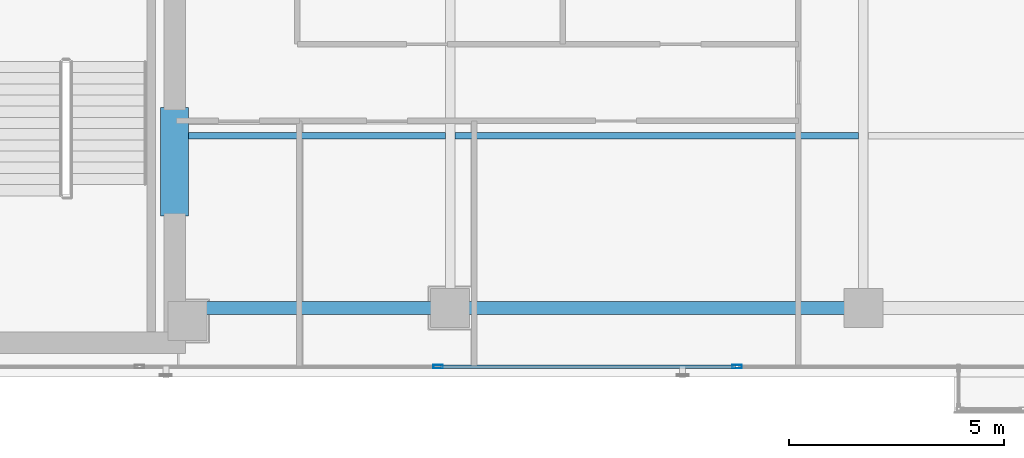
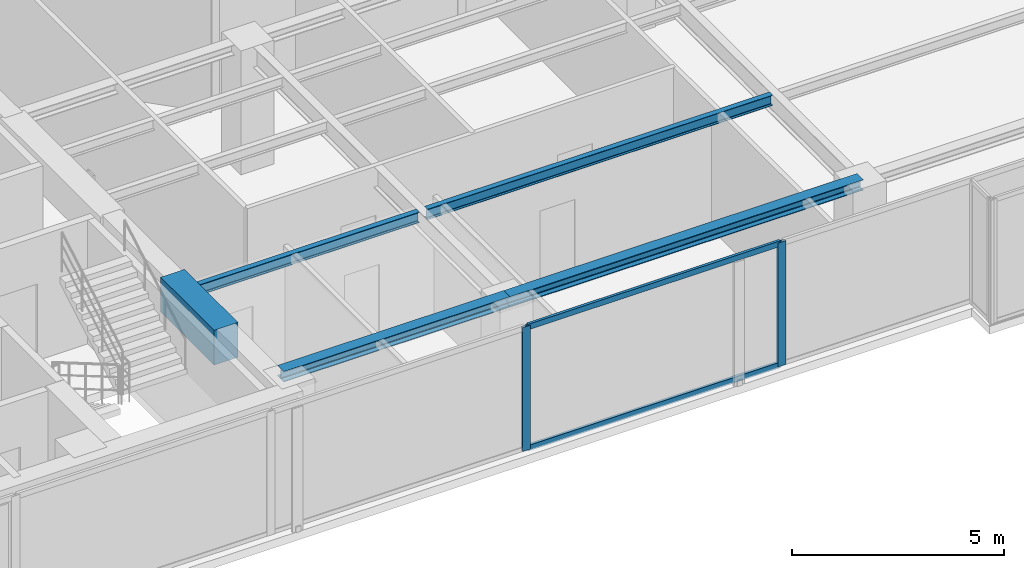
# One storey, part 4 of 23: 5 beams, 4 members, 1 element without a shape of its own.
"""IFC4 building model written with IfcOpenShell, lengths in metres."""

from ifc_helpers import new_model, si_unit, direction, frame, origin, origin_with_axes, origin_2d, place, context, subcontext, project, spatial, rectangle, hollow_rectangle, i_section, extrude, source, transform, mapped, material, layer, layer_set, material_profile, profile_set, type_object, element, aggregate, save


model = new_model("IFC4")

# Units and contexts
model_context = context("Model", 3, precision=1e-05, world=origin(), true_north=direction((0.0, 1.0)))
body_context = subcontext(model_context, "Body", "Model", "MODEL_VIEW")
ifc_project = project(units=[si_unit("LENGTHUNIT", "METRE"), si_unit("AREAUNIT", "SQUARE_METRE"), si_unit("VOLUMEUNIT", "CUBIC_METRE"), si_unit("PLANEANGLEUNIT", "RADIAN"), si_unit("MASSUNIT", "GRAM", prefix="KILO")], contexts=[model_context])

# Site, building, storey
site_placement = place(None, origin())
site = spatial("IfcSite", under=ifc_project, at=site_placement, CompositionType="ELEMENT")
building_placement = place(site_placement, origin())
building = spatial("IfcBuilding", under=site, at=building_placement, Name="Kolvaren Waterfront Exchange", CompositionType="ELEMENT")
storey_placement = place(building_placement, frame((0.0, 0.0, 319.800048828125)))
storey = spatial("IfcBuildingStorey", under=building, at=storey_placement, Name="L82", CompositionType="ELEMENT", Elevation=319.800048828125)

# Beams
ifc_material_1 = material(Name="Steel S355", Category="steel")
ifc_material_profile_1 = material_profile(ifc_material_1, i_section(OverallWidth=0.300048828125, OverallDepth=0.300048828125, WebThickness=0.010986328125, FlangeThickness=0.01904296875, FilletRadius=0.027099609375, at=origin_2d()), Name="HEB300")
ifc_profile_set_1 = profile_set([ifc_material_profile_1], Name="Steel S355")
beam_type_1 = type_object("IfcBeamType", Name="STR-BM-HEB300", PredefinedType="SPANDREL", material=ifc_profile_set_1)
beam_1_placement = place(storey_placement, frame((21.050048828125, 5.199951171875, 3.409912109375), z_axis=(1.0, 0.0, 0.0), x_axis=(0.0, 1.0, 0.0)))
element("IfcBeam", 1, at=beam_1_placement, inside=storey, type_object=beam_type_1, Name="L82 east-arm spandrel S1", PredefinedType="SPANDREL", context=body_context, shape_type="SweptSolid", body=[
    extrude(i_section(OverallWidth=0.300048828125, OverallDepth=0.300048828125, WebThickness=0.010986328125, FlangeThickness=0.01904296875, FilletRadius=0.027099609375, at=origin_2d()), origin(), (0.0, 0.0, 1.0), 6.14990234375),
])
beam_2_placement = place(storey_placement, frame((27.199951171875, 5.199951171875, 3.409912109375), z_axis=(1.0, 0.0, 0.0), x_axis=(0.0, 1.0, 0.0)))
element("IfcBeam", 2, at=beam_2_placement, inside=storey, type_object=beam_type_1, Name="L82 east-arm spandrel S2", PredefinedType="SPANDREL", context=body_context, shape_type="SweptSolid", body=[
    extrude(i_section(OverallWidth=0.300048828125, OverallDepth=0.300048828125, WebThickness=0.010986328125, FlangeThickness=0.01904296875, FilletRadius=0.027099609375, at=origin_2d()), origin(), (0.0, 0.0, 1.0), 9.60009765625),
])
ifc_material_profile_2 = material_profile(ifc_material_1, i_section(OverallWidth=0.14990234375, OverallDepth=0.300048828125, WebThickness=0.007080078125, FlangeThickness=0.0107421875, FilletRadius=0.014892578125, at=origin_2d()), Name="IPE300")
ifc_profile_set_2 = profile_set([ifc_material_profile_2], Name="Steel S355")
beam_type_2 = type_object("IfcBeamType", Name="STR-BM-IPE300", PredefinedType="JOIST", material=ifc_profile_set_2)
beam_3_placement = place(storey_placement, frame((21.10009765625, 9.199951171875, 3.409912109375), z_axis=(1.0, 0.0, 0.0), x_axis=(0.0, 1.0, 0.0)))
element("IfcBeam", 3, at=beam_3_placement, inside=storey, type_object=beam_type_2, Name="L82 east-arm composite joist 1B", PredefinedType="JOIST", context=body_context, shape_type="SweptSolid", body=[
    extrude(i_section(OverallWidth=0.14990234375, OverallDepth=0.300048828125, WebThickness=0.007080078125, FlangeThickness=0.0107421875, FilletRadius=0.014892578125, at=origin_2d()), origin(), (0.0, 0.0, 1.0), 5.98779296875),
])
beam_4_placement = place(storey_placement, frame((27.31201171875, 9.199951171875, 3.409912109375), z_axis=(1.0, 0.0, 0.0), x_axis=(0.0, 1.0, 0.0)))
element("IfcBeam", 4, at=beam_4_placement, inside=storey, type_object=beam_type_2, Name="L82 east-arm composite joist 2B", PredefinedType="JOIST", context=body_context, shape_type="SweptSolid", body=[
    extrude(i_section(OverallWidth=0.14990234375, OverallDepth=0.300048828125, WebThickness=0.007080078125, FlangeThickness=0.0107421875, FilletRadius=0.014892578125, at=origin_2d()), origin(), (0.0, 0.0, 1.0), 9.3759765625),
])
ifc_material_2 = material(Name="Concrete C60/75", Category="concrete")
ifc_material_profile_3 = material_profile(ifc_material_2, rectangle(XDim=0.64990234375, YDim=1.0, at=origin_2d()), Name="RC-CB-1000x650")
ifc_profile_set_3 = profile_set([ifc_material_profile_3], Name="Concrete C60/75")
beam_type_3 = type_object("IfcBeamType", Name="STR-CB-1000", PredefinedType="SPANDREL", material=ifc_profile_set_3)
beam_5_placement = place(storey_placement, frame((20.800048828125, 7.340087890625, 3.06005859375), z_axis=(0.0, 1.0, 0.0), x_axis=(-1.0, 0.0, 0.0)))
element("IfcBeam", 5, at=beam_5_placement, inside=storey, type_object=beam_type_3, Name="L82 core coupling beam 1", PredefinedType="SPANDREL", context=body_context, shape_type="SweptSolid", body=[
    extrude(rectangle(XDim=0.64990234375, YDim=1.0, at=origin_2d()), origin(), (0.0, 0.0, 1.0), 2.52001953125),
])

# Curtain wall, members
ifc_material_3 = material(Name="Anodised bronze aluminium 6063-T6", Category="aluminium")
ifc_layer = layer(ifc_material_3, 0.219970703125, Name="Anodised bronze aluminium 6063-T6")
ifc_layer_set = layer_set([ifc_layer], Name="Anodised bronze aluminium 6063-T6")
curtain_wall_type = type_object("IfcCurtainWallType", Name="ARC-CW-SYS1", PredefinedType="USERDEFINED", material=ifc_layer_set)
curtain_wall_placement = place(storey_placement, origin())
curtain_wall = element("IfcCurtainWall", 6, at=curtain_wall_placement, inside=storey, type_object=curtain_wall_type, Name="L82 stick curtain wall CW1 (CW-L82-S)", ObjectType="STICK CURTAIN WALL", PredefinedType="USERDEFINED")
ifc_material_4 = material(Name="Anodised aluminium 6063-T6", Category="aluminium")
ifc_material_profile_4 = material_profile(ifc_material_4, hollow_rectangle(XDim=0.080078125, YDim=0.219970703125, WallThickness=0.0048828125, at=origin_2d()), Name="ALU-MUL-220x80x5")
ifc_profile_set_4 = profile_set([ifc_material_profile_4], Name="Anodised aluminium 6063-T6")
member_type_1 = type_object("IfcMemberType", Name="ARC-CWM-220", PredefinedType="MULLION", material=ifc_profile_set_4)
shared_shape_1 = source(origin_with_axes(), body_context, "Body", "SweptSolid", [
    extrude(hollow_rectangle(XDim=0.080078125, YDim=0.219970703125, WallThickness=0.0048828125, at=origin_2d()), origin(), (0.0, 0.0, 1.0), 3.56005859375),
])
member_1_placement = place(storey_placement, frame((26.923583984375, 3.840087890625, 0.0), z_axis=(0.0, 0.0, 1.0), x_axis=(0.0, 1.0, 0.0)))
member_1 = element("IfcMember", 7, at=member_1_placement, type_object=member_type_1, Name="CW1 mullion 4", PredefinedType="MULLION", context=body_context, shape_type="MappedRepresentation", body=[
    mapped(shared_shape_1, transform((0.0, 0.0, 0.0), x_axis=(1.0, 0.0, 0.0), y_axis=(0.0, 1.0, 0.0), z_axis=(0.0, 0.0, 1.0), scale=1.0)),
])
member_2_placement = place(storey_placement, frame((33.864990234375, 3.840087890625, 0.0), z_axis=(0.0, 0.0, 1.0), x_axis=(0.0, 1.0, 0.0)))
member_2 = element("IfcMember", 8, at=member_2_placement, type_object=member_type_1, Name="CW1 mullion 5", PredefinedType="MULLION", context=body_context, shape_type="MappedRepresentation", body=[
    mapped(shared_shape_1, transform((0.0, 0.0, 0.0), x_axis=(1.0, 0.0, 0.0), y_axis=(0.0, 1.0, 0.0), z_axis=(0.0, 0.0, 1.0), scale=1.0)),
])
ifc_material_profile_5 = material_profile(ifc_material_4, hollow_rectangle(XDim=0.074951171875, YDim=0.159912109375, WallThickness=0.00439453125, at=origin_2d()), Name="ALU-TRN-160x75x4.5")
ifc_profile_set_5 = profile_set([ifc_material_profile_5], Name="Anodised aluminium 6063-T6")
member_type_2 = type_object("IfcMemberType", Name="ARC-CWT-160", PredefinedType="USERDEFINED", material=ifc_profile_set_5)
shared_shape_2 = source(origin_with_axes(), body_context, "Body", "SweptSolid", [
    extrude(hollow_rectangle(XDim=0.074951171875, YDim=0.159912109375, WallThickness=0.00439453125, at=origin_2d()), origin(), (0.0, 0.0, 1.0), 6.861328125),
])
member_3_placement = place(storey_placement, frame((26.963623046875, 3.840087890625, 0.037353515625), z_axis=(1.0, 0.0, 0.0), x_axis=(0.0, 1.0, 0.0)))
member_3 = element("IfcMember", 9, at=member_3_placement, type_object=member_type_2, Name="CW1 transom 4.1", ObjectType="TRANSOM", PredefinedType="USERDEFINED", context=body_context, shape_type="MappedRepresentation", body=[
    mapped(shared_shape_2, transform((0.0, 0.0, 0.0), x_axis=(1.0, 0.0, 0.0), y_axis=(0.0, 1.0, 0.0), z_axis=(0.0, 0.0, 1.0), scale=1.0)),
])
member_4_placement = place(storey_placement, frame((26.963623046875, 3.840087890625, 3.5224609375), z_axis=(1.0, 0.0, 0.0), x_axis=(0.0, 1.0, 0.0)))
member_4 = element("IfcMember", 10, at=member_4_placement, type_object=member_type_2, Name="CW1 transom 4.2", ObjectType="TRANSOM", PredefinedType="USERDEFINED", context=body_context, shape_type="MappedRepresentation", body=[
    mapped(shared_shape_2, transform((0.0, 0.0, 0.0), x_axis=(1.0, 0.0, 0.0), y_axis=(0.0, 1.0, 0.0), z_axis=(0.0, 0.0, 1.0), scale=1.0)),
])
aggregate(curtain_wall, [member_1, member_2, member_3, member_4])

save(model, "model.ifc")
